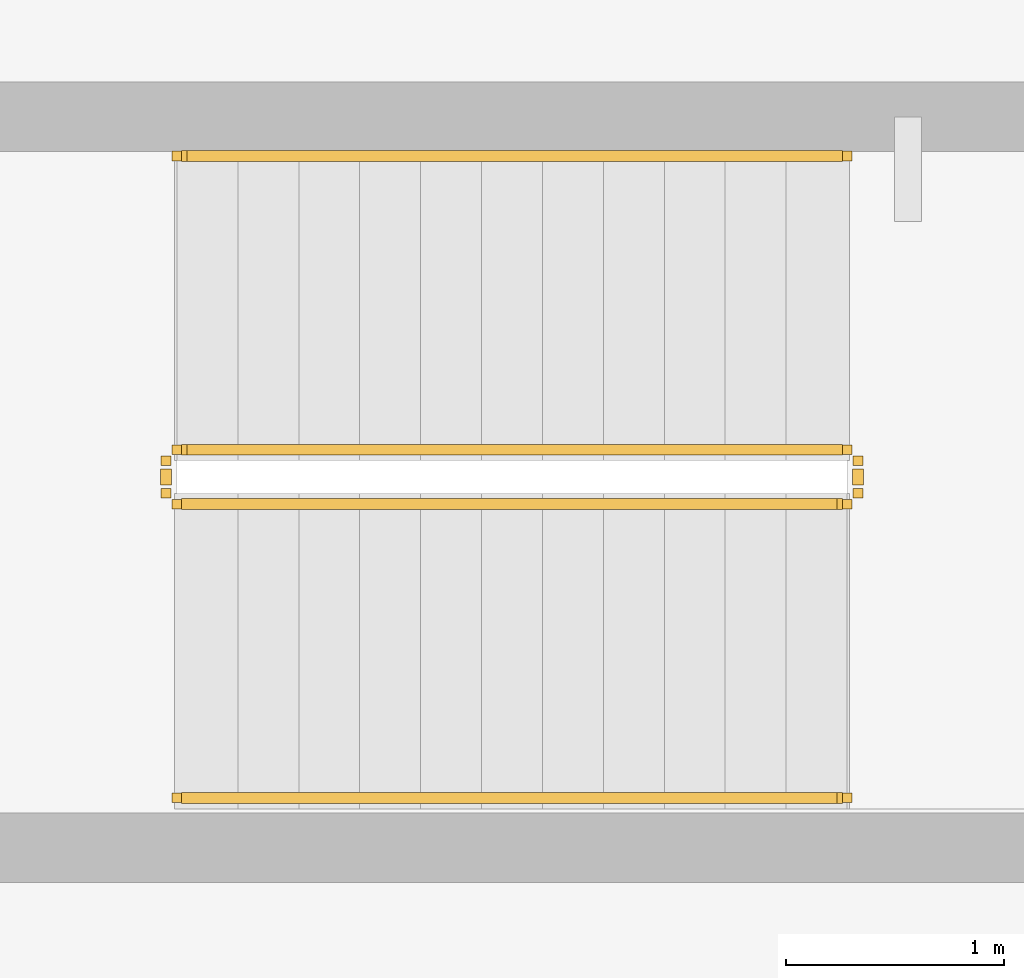
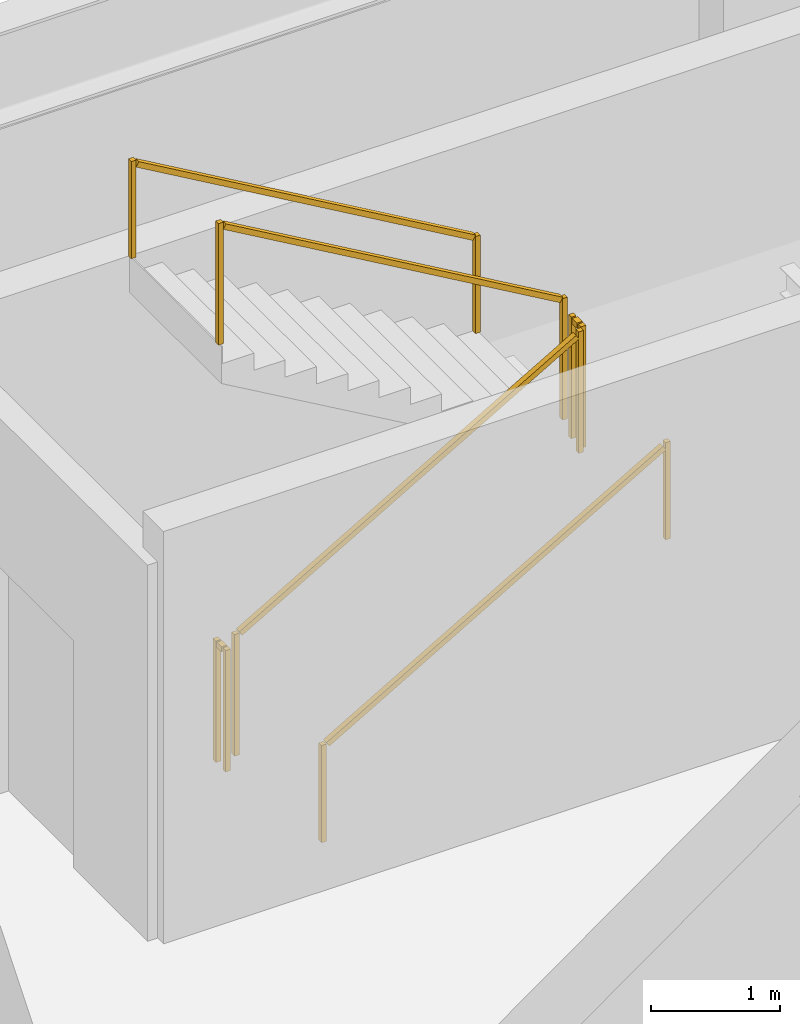
# One storey, part 14 of 16: 6 railings.
"""IFC4 building model written with IfcOpenShell, lengths in metres."""

from ifc_helpers import new_model, si_unit, direction, frame, origin, origin_2d, place, context, subcontext, project, spatial, rectangle, extrude, material, type_object, element, save


model = new_model("IFC4")

# Units and contexts
model_context = context("Model", 3, precision=1e-05, world=origin(), true_north=direction((0.0, 1.0)))
body_context = subcontext(model_context, "Body", "Model", "MODEL_VIEW")
ifc_project = project(units=[si_unit("LENGTHUNIT", "METRE"), si_unit("AREAUNIT", "SQUARE_METRE"), si_unit("VOLUMEUNIT", "CUBIC_METRE"), si_unit("PLANEANGLEUNIT", "RADIAN"), si_unit("MASSUNIT", "GRAM", prefix="KILO")], contexts=[model_context])

# Site, building, storey
site_placement = place(None, origin())
site = spatial("IfcSite", under=ifc_project, at=site_placement, CompositionType="ELEMENT")
building_placement = place(site_placement, origin())
building = spatial("IfcBuilding", under=site, at=building_placement, Name="Yunling Apex Tower", CompositionType="ELEMENT")
storey_placement = place(building_placement, frame((0.0, 0.0, 16.199951171875)))
storey = spatial("IfcBuildingStorey", under=building, at=storey_placement, Name="L05", CompositionType="ELEMENT", Elevation=16.199951171875)

# Railings
ifc_material_1 = material(Name="Steel Q355B", Category="steel")
railing_type_1 = type_object("IfcRailingType", Name="RL-GRD-1150", PredefinedType="GUARDRAIL", material=ifc_material_1)
railing_1_placement = place(storey_placement, frame((-30.050048828125, 24.199951171875, 0.16259765625)))
element("IfcRailing", 1, at=railing_1_placement, inside=storey, type_object=railing_type_1, Name="L05 ST-G1 stair guard 1", PredefinedType="GUARDRAIL", context=body_context, shape_type="SweptSolid", body=[
    extrude(rectangle(XDim=0.0439453125, YDim=0.0439453125, at=origin_2d()), origin(), (0.0, 0.0, 1.0), 1.14990234375),
    extrude(rectangle(XDim=0.0439453125, YDim=0.0439453125, at=origin_2d()), frame((3.080078125, 0.0, 1.787353515625)), (0.0, 0.0, 1.0), 1.14990234375),
    extrude(rectangle(XDim=0.050048828125, YDim=0.050048828125, at=origin_2d()), frame((0.033203125, 0.0, 1.14404296875), z_axis=(0.864920483161, 0.0, 0.501908913857), x_axis=(0.0, 1.0, 0.0)), (0.0, 0.0, 1.0), 3.484375),
])
railing_2_placement = place(storey_placement, frame((-26.919921875, 24.25, 1.949951171875)))
element("IfcRailing", 2, at=railing_2_placement, inside=storey, type_object=railing_type_1, Name="L05 ST-G1 stair guard 2", PredefinedType="GUARDRAIL", context=body_context, shape_type="SweptSolid", body=[
    extrude(rectangle(XDim=0.0439453125, YDim=0.0439453125, at=origin_2d()), origin(), (0.0, 0.0, 1.0), 1.14990234375),
    extrude(rectangle(XDim=0.0439453125, YDim=0.0439453125, at=origin_2d()), frame((0.0, 0.14990234375, 0.0)), (0.0, 0.0, 1.0), 1.14990234375),
    extrude(rectangle(XDim=0.050048828125, YDim=0.050048828125, at=origin_2d()), frame((0.0, 0.038330078125, 1.125), z_axis=(0.0, 1.0, 0.0), x_axis=(-1.0, 0.0, 0.0)), (0.0, 0.0, 1.0), 0.0732421875),
])
railing_3_placement = place(storey_placement, frame((-26.969970703125, 24.449951171875, 2.112548828125)))
element("IfcRailing", 3, at=railing_3_placement, inside=storey, type_object=railing_type_1, Name="L05 ST-G1 stair guard 3", PredefinedType="GUARDRAIL", context=body_context, shape_type="SweptSolid", body=[
    extrude(rectangle(XDim=0.0439453125, YDim=0.0439453125, at=origin_2d()), origin(), (0.0, 0.0, 1.0), 1.14990234375),
    extrude(rectangle(XDim=0.0439453125, YDim=0.0439453125, at=origin_2d()), frame((-3.080078125, 0.0, 1.78759765625)), (0.0, 0.0, 1.0), 1.14990234375),
    extrude(rectangle(XDim=0.050048828125, YDim=0.050048828125, at=origin_2d()), frame((-0.033203125, 0.0, 1.14404296875), z_axis=(-0.864890721111, 0.0, 0.501960198159), x_axis=(0.0, -1.0, 0.0)), (0.0, 0.0, 1.0), 3.484619140625),
])
railing_4_placement = place(storey_placement, frame((-30.10009765625, 24.25, 0.0)))
element("IfcRailing", 4, at=railing_4_placement, inside=storey, type_object=railing_type_1, Name="L05 ST-G1 stair guard 4", PredefinedType="GUARDRAIL", context=body_context, shape_type="SweptSolid", body=[
    extrude(rectangle(XDim=0.0439453125, YDim=0.0439453125, at=origin_2d()), origin(), (0.0, 0.0, 1.0), 1.14990234375),
    extrude(rectangle(XDim=0.0439453125, YDim=0.0439453125, at=origin_2d()), frame((0.0, 0.14990234375, 0.0)), (0.0, 0.0, 1.0), 1.14990234375),
    extrude(rectangle(XDim=0.050048828125, YDim=0.050048828125, at=origin_2d()), frame((0.0, 0.038330078125, 1.125), z_axis=(0.0, 1.0, 0.0), x_axis=(-1.0, 0.0, 0.0)), (0.0, 0.0, 1.0), 0.0732421875),
])
ifc_material_2 = material(Name="Silver anodised aluminium", Category="aluminium")
railing_type_2 = type_object("IfcRailingType", Name="RL-HND-900", PredefinedType="HANDRAIL", material=ifc_material_2)
railing_5_placement = place(storey_placement, frame((-30.050048828125, 22.85009765625, 0.16259765625)))
element("IfcRailing", 5, at=railing_5_placement, inside=storey, type_object=railing_type_2, Name="L05 ST-G1 stair handrail 1", PredefinedType="HANDRAIL", context=body_context, shape_type="SweptSolid", body=[
    extrude(rectangle(XDim=0.0439453125, YDim=0.0439453125, at=origin_2d()), origin(), (0.0, 0.0, 1.0), 0.919921875),
    extrude(rectangle(XDim=0.0439453125, YDim=0.0439453125, at=origin_2d()), frame((3.080078125, 0.0, 1.787353515625)), (0.0, 0.0, 1.0), 0.919921875),
    extrude(rectangle(XDim=0.050048828125, YDim=0.050048828125, at=origin_2d()), frame((0.033203125, 0.0, 0.9140625), z_axis=(0.864920483161, 0.0, 0.501908913857), x_axis=(0.0, 1.0, 0.0)), (0.0, 0.0, 1.0), 3.484375),
])
railing_6_placement = place(storey_placement, frame((-26.969970703125, 25.800048828125, 2.112548828125)))
element("IfcRailing", 6, at=railing_6_placement, inside=storey, type_object=railing_type_2, Name="L05 ST-G1 stair handrail 2", PredefinedType="HANDRAIL", context=body_context, shape_type="SweptSolid", body=[
    extrude(rectangle(XDim=0.0439453125, YDim=0.0439453125, at=origin_2d()), origin(), (0.0, 0.0, 1.0), 0.919921875),
    extrude(rectangle(XDim=0.0439453125, YDim=0.0439453125, at=origin_2d()), frame((-3.080078125, 0.0, 1.78759765625)), (0.0, 0.0, 1.0), 0.919921875),
    extrude(rectangle(XDim=0.050048828125, YDim=0.050048828125, at=origin_2d()), frame((-0.033203125, 0.0, 0.9140625), z_axis=(-0.864890721111, 0.0, 0.501960198159), x_axis=(0.0, -1.0, 0.0)), (0.0, 0.0, 1.0), 3.484619140625),
])

save(model, "model.ifc")
